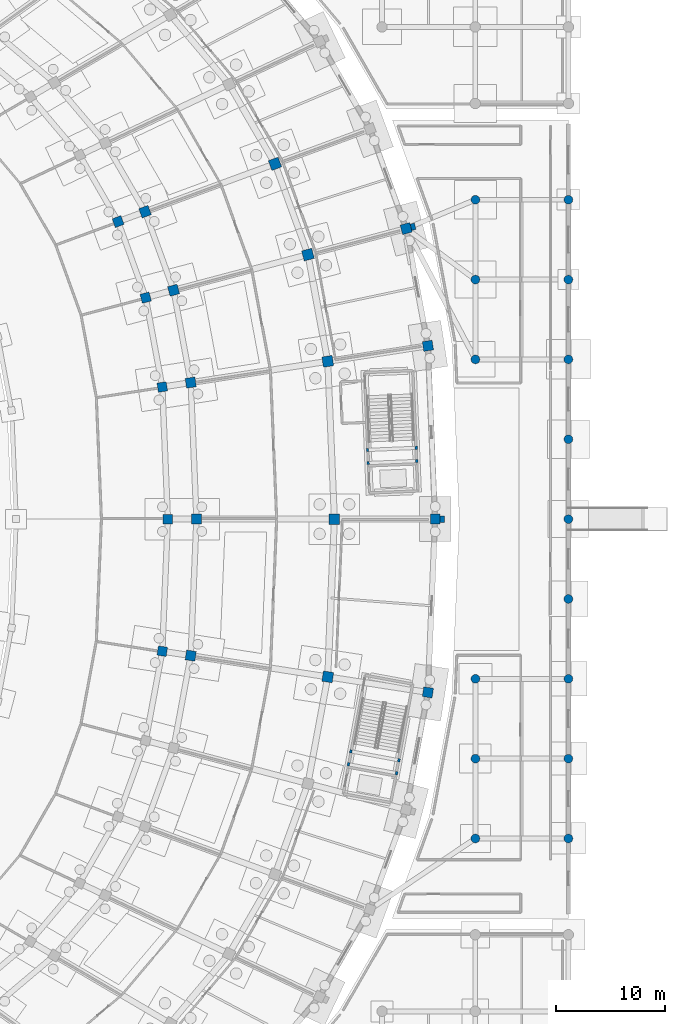
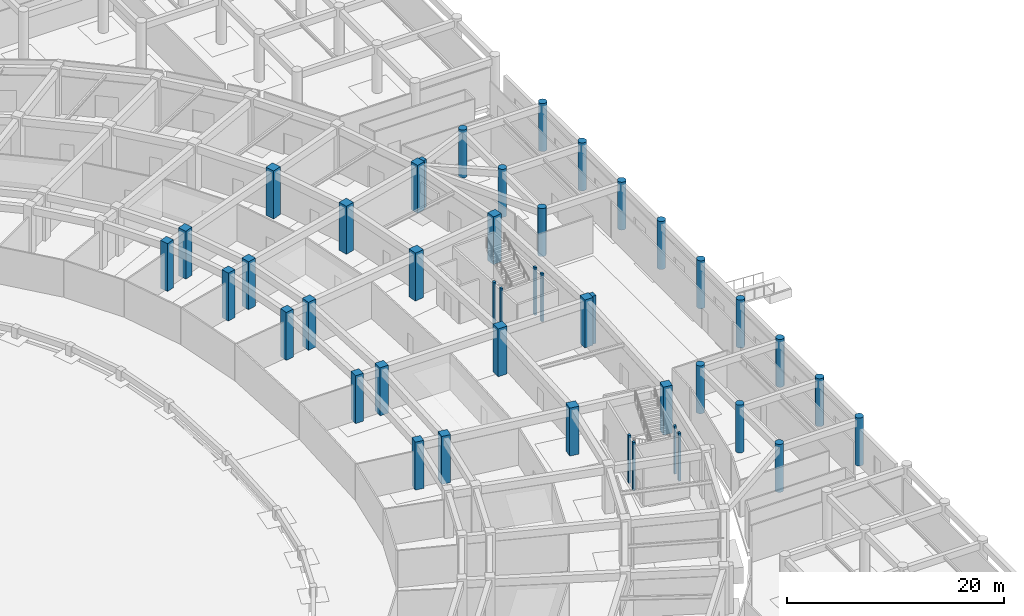
# One storey, part 20 of 88: 44 columns.
"""IFC4 building model written with IfcOpenShell, lengths in metres."""

from ifc_helpers import new_model, si_unit, direction, frame, origin, origin_2d, place, context, subcontext, project, spatial, rectangle, circle, extrude, material, material_profile, profile_set, type_object, element, save


model = new_model("IFC4")

# Units and contexts
model_context = context("Model", 3, precision=1e-05, world=origin(), true_north=direction((0.0, 1.0)))
body_context = subcontext(model_context, "Body", "Model", "MODEL_VIEW")
ifc_project = project(units=[si_unit("LENGTHUNIT", "METRE"), si_unit("AREAUNIT", "SQUARE_METRE"), si_unit("VOLUMEUNIT", "CUBIC_METRE"), si_unit("PLANEANGLEUNIT", "RADIAN"), si_unit("MASSUNIT", "GRAM", prefix="KILO")], contexts=[model_context])

# Site, building, storey
site_placement = place(None, origin())
site = spatial("IfcSite", under=ifc_project, at=site_placement, CompositionType="ELEMENT")
building_placement = place(site_placement, origin())
building = spatial("IfcBuilding", under=site, at=building_placement, Name="Mphavela Belvedere Stadium", CompositionType="ELEMENT")
storey_placement = place(building_placement, origin())
storey = spatial("IfcBuildingStorey", under=building, at=storey_placement, Name="L00", CompositionType="ELEMENT", Elevation=0.0)

# Columns
ifc_material_1 = material(Name="Concrete C40/50", Category="concrete")
ifc_material_profile_1 = material_profile(ifc_material_1, rectangle(XDim=0.300048828125, YDim=0.219970703125, at=origin_2d()), Name="RC 300x220")
ifc_profile_set_1 = profile_set([ifc_material_profile_1], Name="Concrete C40/50")
column_type_1 = type_object("IfcColumnType", Name="COL-CORE-POST-300", PredefinedType="COLUMN", material=ifc_profile_set_1)
for number, where, z_axis, x_axis, name in (
    (1, (211.632080078125, 93.325439453125, 0.0), (0.0, 0.0, 1.0), (0.041875653729, -0.999122830099, 0.0), "Core C01 stair frame column L00-1"),
    (2, (211.682373046875, 92.12646484375, 0.0), (0.0, 0.0, 1.0), (0.041875653729, -0.999122830099, 0.0), "Core C01 stair frame column L00-2"),
    (3, (216.1484375, 92.313720703125, 0.0), (0.0, 0.0, 1.0), (0.041875653729, -0.999122830099, 0.0), "Core C01 stair frame column L00-3"),
    (4, (216.09814453125, 93.5126953125, 0.0), (0.0, 0.0, 1.0), (0.041875653729, -0.999122830099, 0.0), "Core C01 stair frame column L00-4"),
    (5, (210.11376953125, 65.7646484375, 0.0), (0.0, 0.0, 1.0), (-0.182578735093, -0.983191235463, 0.0), "Core C12 stair frame column L00-1"),
    (6, (209.894775390625, 64.584716796875, 0.0), (0.0, 0.0, 1.0), (-0.182578735093, -0.983191235463, 0.0), "Core C12 stair frame column L00-2"),
    (7, (214.28955078125, 63.768798828125, 0.0), (0.0, 0.0, 1.0), (-0.182578735093, -0.983191235463, 0.0), "Core C12 stair frame column L00-3"),
    (8, (214.508544921875, 64.948486328125, 0.0), (0.0, 0.0, 1.0), (-0.182578735093, -0.983191235463, 0.0), "Core C12 stair frame column L00-4"),
):
    element("IfcColumn", number, at=place(storey_placement, frame(where, z_axis=z_axis, x_axis=x_axis)), inside=storey, type_object=column_type_1, Name=name, PredefinedType="COLUMN", context=body_context, shape_type="SweptSolid", body=[
        extrude(rectangle(XDim=0.300048828125, YDim=0.219970703125, at=origin_2d()), origin(), (0.0, 0.0, 1.0), 5.39990234375),
    ])
ifc_material_2 = material(Name="Concrete C40/50", Category="concrete")
ifc_material_profile_2 = material_profile(ifc_material_2, circle(Radius=0.39990234375, at=origin_2d()), Name="COL D800")
ifc_profile_set_2 = profile_set([ifc_material_profile_2], Name="Concrete C40/50")
column_type_2 = type_object("IfcColumnType", Name="COL-PERISTYLE-800", PredefinedType="COLUMN", material=ifc_profile_set_2)
for number, where, z_axis, x_axis, name in (
    (9, (221.5, 57.800048828125, 0.0), (0.0, 0.0, 1.0), (1.0, 0.0, 0.0), "East Planted Eaves Peristyle Colonnade classical column L00 8-2"),
    (10, (221.5, 65.10009765625, 0.0), (0.0, 0.0, 1.0), (1.0, 0.0, 0.0), "East Planted Eaves Peristyle Colonnade classical column L00 8-3"),
    (11, (221.5, 72.39990234375, 0.0), (0.0, 0.0, 1.0), (1.0, 0.0, 0.0), "East Planted Eaves Peristyle Colonnade classical column L00 8-4"),
    (12, (221.5, 101.60009765625, 0.0), (0.0, 0.0, 1.0), (1.0, 0.0, 0.0), "East Planted Eaves Peristyle Colonnade classical column L00 8-8"),
    (13, (221.5, 108.89990234375, 0.0), (0.0, 0.0, 1.0), (1.0, 0.0, 0.0), "East Planted Eaves Peristyle Colonnade classical column L00 8-9"),
    (14, (221.5, 116.199951171875, 0.0), (0.0, 0.0, 1.0), (1.0, 0.0, 0.0), "East Planted Eaves Peristyle Colonnade classical column L00 8-10"),
    (15, (230.0, 57.800048828125, 0.0), (0.0, 0.0, 1.0), (1.0, 0.0, 0.0), "East Planted Eaves Peristyle Colonnade classical column L00 9-2"),
    (16, (230.0, 65.10009765625, 0.0), (0.0, 0.0, 1.0), (1.0, 0.0, 0.0), "East Planted Eaves Peristyle Colonnade classical column L00 9-3"),
    (17, (230.0, 72.39990234375, 0.0), (0.0, 0.0, 1.0), (1.0, 0.0, 0.0), "East Planted Eaves Peristyle Colonnade classical column L00 9-4"),
    (18, (230.0, 79.699951171875, 0.0), (0.0, 0.0, 1.0), (1.0, 0.0, 0.0), "East Planted Eaves Peristyle Colonnade classical column L00 9-5"),
    (19, (230.0, 87.0, 0.0), (0.0, 0.0, 1.0), (1.0, 0.0, 0.0), "East Planted Eaves Peristyle Colonnade classical column L00 9-6"),
    (20, (230.0, 94.300048828125, 0.0), (0.0, 0.0, 1.0), (1.0, 0.0, 0.0), "East Planted Eaves Peristyle Colonnade classical column L00 9-7"),
    (21, (230.0, 101.60009765625, 0.0), (0.0, 0.0, 1.0), (1.0, 0.0, 0.0), "East Planted Eaves Peristyle Colonnade classical column L00 9-8"),
    (22, (230.0, 108.89990234375, 0.0), (0.0, 0.0, 1.0), (1.0, 0.0, 0.0), "East Planted Eaves Peristyle Colonnade classical column L00 9-9"),
    (23, (230.0, 116.199951171875, 0.0), (0.0, 0.0, 1.0), (1.0, 0.0, 0.0), "East Planted Eaves Peristyle Colonnade classical column L00 9-10"),
):
    element("IfcColumn", number, at=place(storey_placement, frame(where, z_axis=z_axis, x_axis=x_axis)), inside=storey, type_object=column_type_2, Name=name, PredefinedType="COLUMN", context=body_context, shape_type="SweptSolid", body=[
        extrude(circle(Radius=0.39990234375, at=origin_2d()), origin(), (0.0, 0.0, 1.0), 5.39990234375),
    ])
ifc_material_3 = material(Name="Concrete C40/50", Category="concrete")
ifc_material_profile_3 = material_profile(ifc_material_3, rectangle(XDim=0.85009765625, YDim=0.85009765625, at=origin_2d()), Name="RC 850x850")
ifc_profile_set_3 = profile_set([ifc_material_profile_3], Name="Concrete C40/50")
column_type_3 = type_object("IfcColumnType", Name="COL-RC850", PredefinedType="COLUMN", material=ifc_profile_set_3)
for number, where, z_axis, x_axis, name in (
    (24, (193.3759765625, 87.0, 0.0), (0.0, 0.0, 1.0), (1.0, 0.0, 0.0), "Inner concourse column L00 R1-01"),
    (25, (192.869384765625, 99.078125, 0.0), (0.0, 0.0, 1.0), (0.98817491911, 0.153330783737, 0.0), "Inner concourse column L00 R1-02"),
    (26, (191.351806640625, 107.24755859375, 0.0), (0.0, 0.0, 1.0), (0.966600102017, 0.256289373133, 0.0), "Inner concourse column L00 R1-03"),
    (27, (188.829833984375, 114.19921875, 0.0), (0.0, 0.0, 1.0), (0.938372433776, 0.34562577382, 0.0), "Inner concourse column L00 R1-04"),
    (28, (192.869384765625, 74.921875, 0.0), (0.0, 0.0, 1.0), (0.98817491911, -0.153330783737, 0.0), "Inner concourse column L00 R1-48"),
):
    element("IfcColumn", number, at=place(storey_placement, frame(where, z_axis=z_axis, x_axis=x_axis)), inside=storey, type_object=column_type_3, Name=name, PredefinedType="COLUMN", context=body_context, shape_type="SweptSolid", body=[
        extrude(rectangle(XDim=0.85009765625, YDim=0.85009765625, at=origin_2d()), origin(), (0.0, 0.0, 1.0), 5.39990234375),
    ])
ifc_material_4 = material(Name="Concrete C40/50", Category="concrete")
ifc_material_profile_4 = material_profile(ifc_material_4, rectangle(XDim=0.89990234375, YDim=0.89990234375, at=origin_2d()), Name="RC 900x900")
ifc_profile_set_4 = profile_set([ifc_material_profile_4], Name="Concrete C40/50")
column_type_4 = type_object("IfcColumnType", Name="COL-RC900", PredefinedType="COLUMN", material=ifc_profile_set_4)
for number, where, z_axis, x_axis, name in (
    (29, (195.9951171875, 87.0, 0.0), (0.0, 0.0, 1.0), (1.0, 0.0, 0.0), "Middle concourse column L00 R2-01"),
    (30, (217.820068359375, 87.0, 0.0), (0.0, 0.0, 1.0), (1.0, 0.0, 0.0), "Outer colonnade column L00 R4-01"),
    (31, (195.471435546875, 99.481689453125, 0.0), (0.0, 0.0, 1.0), (0.98817491911, 0.153330783737, 0.0), "Middle concourse column L00 R2-02"),
    (32, (217.155517578125, 102.844970703125, 0.0), (0.0, 0.0, 1.0), (0.98817491911, 0.153330783737, 0.0), "Outer colonnade column L00 R4-02"),
    (33, (193.9033203125, 107.92431640625, 0.0), (0.0, 0.0, 1.0), (0.966600102017, 0.256289373133, 0.0), "Middle concourse column L00 R2-03"),
    (34, (215.16455078125, 113.5625, 0.0), (0.0, 0.0, 1.0), (0.966600102017, 0.256289373133, 0.0), "Outer colonnade column L00 R4-03"),
    (35, (191.297119140625, 115.108154296875, 0.0), (0.0, 0.0, 1.0), (0.938372433776, 0.34562577382, 0.0), "Middle concourse column L00 R2-04"),
    (36, (195.471435546875, 74.518310546875, 0.0), (0.0, 0.0, 1.0), (0.98817491911, -0.153330783737, 0.0), "Middle concourse column L00 R2-48"),
    (37, (217.155517578125, 71.155029296875, 0.0), (0.0, 0.0, 1.0), (0.98817491911, -0.153330783737, 0.0), "Outer colonnade column L00 R4-48"),
):
    element("IfcColumn", number, at=place(storey_placement, frame(where, z_axis=z_axis, x_axis=x_axis)), inside=storey, type_object=column_type_4, Name=name, PredefinedType="COLUMN", context=body_context, shape_type="SweptSolid", body=[
        extrude(rectangle(XDim=0.89990234375, YDim=0.89990234375, at=origin_2d()), origin(), (0.0, 0.0, 1.0), 5.39990234375),
    ])
ifc_material_5 = material(Name="Concrete C40/50", Category="concrete")
ifc_material_profile_5 = material_profile(ifc_material_5, rectangle(XDim=0.949951171875, YDim=0.949951171875, at=origin_2d()), Name="RC 950x950")
ifc_profile_set_5 = profile_set([ifc_material_profile_5], Name="Concrete C40/50")
column_type_5 = type_object("IfcColumnType", Name="COL-RC950", PredefinedType="COLUMN", material=ifc_profile_set_5)
for number, where, z_axis, x_axis, name in (
    (38, (208.60498046875, 87.0, 0.0), (0.0, 0.0, 1.0), (1.0, 0.0, 0.0), "Main bowl column L00 R3-01"),
    (39, (208.0, 101.4248046875, 0.0), (0.0, 0.0, 1.0), (0.98817491911, 0.153330783737, 0.0), "Main bowl column L00 R3-02"),
    (40, (206.1875, 111.181884765625, 0.0), (0.0, 0.0, 1.0), (0.966600102017, 0.256289373133, 0.0), "Main bowl column L00 R3-03"),
    (41, (203.175537109375, 119.484375, 0.0), (0.0, 0.0, 1.0), (0.938372433776, 0.34562577382, 0.0), "Main bowl column L00 R3-04"),
    (42, (208.0, 72.5751953125, 0.0), (0.0, 0.0, 1.0), (0.98817491911, -0.153330783737, 0.0), "Main bowl column L00 R3-48"),
):
    element("IfcColumn", number, at=place(storey_placement, frame(where, z_axis=z_axis, x_axis=x_axis)), inside=storey, type_object=column_type_5, Name=name, PredefinedType="COLUMN", context=body_context, shape_type="SweptSolid", body=[
        extrude(rectangle(XDim=0.949951171875, YDim=0.949951171875, at=origin_2d()), origin(), (0.0, 0.0, 1.0), 5.39990234375),
    ])
ifc_material_6 = material(Name="Concrete C40/50", Category="concrete")
ifc_material_profile_6 = material_profile(ifc_material_6, rectangle(XDim=0.60009765625, YDim=0.39990234375, at=origin_2d()), Name="PIL 600x400")
ifc_profile_set_6 = profile_set([ifc_material_profile_6], Name="Concrete C40/50")
column_type_6 = type_object("IfcColumnType", Name="PIL-FLUTED-600", PredefinedType="PILASTER", material=ifc_profile_set_6)
for number, where, z_axis, x_axis, name in (
    (43, (218.472900390625, 87.0, 0.0), (0.0, 0.0, 1.0), (0.0, 1.0, 0.0), "Fluted classical pilaster L00-01"),
    (44, (215.7958984375, 113.72998046875, 0.0), (0.0, 0.0, 1.0), (-0.256289373133, 0.966600102017, 0.0), "Fluted classical pilaster L00-03"),
):
    element("IfcColumn", number, at=place(storey_placement, frame(where, z_axis=z_axis, x_axis=x_axis)), inside=storey, type_object=column_type_6, Name=name, PredefinedType="PILASTER", context=body_context, shape_type="SweptSolid", body=[
        extrude(rectangle(XDim=0.60009765625, YDim=0.39990234375, at=origin_2d()), origin(), (0.0, 0.0, 1.0), 5.39990234375),
    ])

save(model, "model.ifc")
